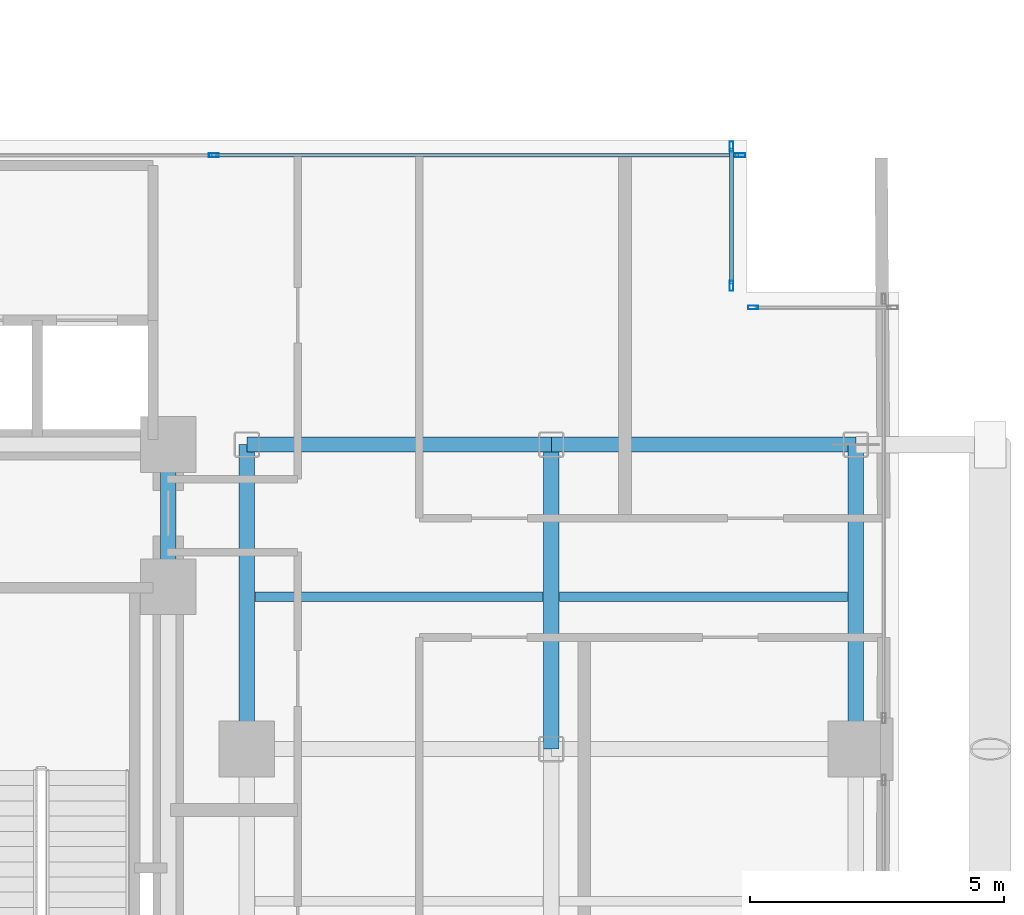
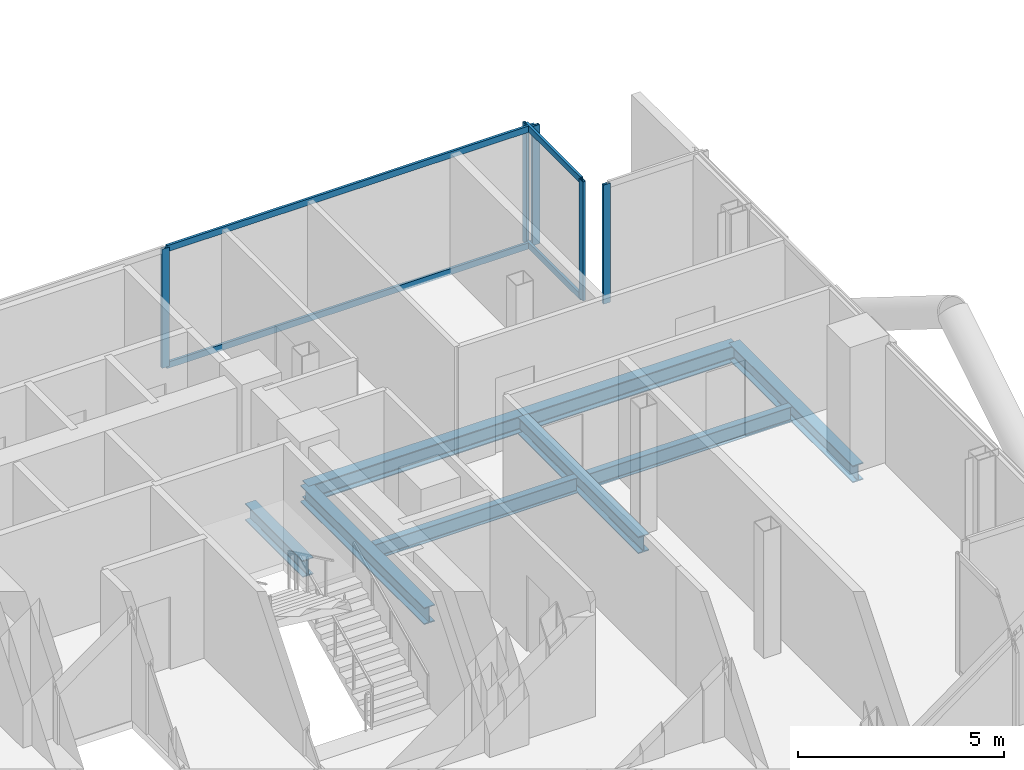
# One storey, part 12 of 24: 9 members, 8 beams, 3 elements without a shape of their own.
"""IFC4 building model written with IfcOpenShell, lengths in metres."""

from ifc_helpers import new_model, si_unit, direction, frame, origin, origin_2d, place, context, subcontext, project, spatial, hollow_rectangle, i_section, extrude, material, layer, layer_set, material_profile, profile_set, type_object, element, aggregate, save


model = new_model("IFC4")

# Units and contexts
model_context = context("Model", 3, precision=1e-05, world=origin(), true_north=direction((0.0, 1.0)))
body_context = subcontext(model_context, "Body", "Model", "MODEL_VIEW")
ifc_project = project(units=[si_unit("LENGTHUNIT", "METRE"), si_unit("AREAUNIT", "SQUARE_METRE"), si_unit("VOLUMEUNIT", "CUBIC_METRE"), si_unit("PLANEANGLEUNIT", "RADIAN"), si_unit("MASSUNIT", "GRAM", prefix="KILO"), si_unit("THERMODYNAMICTEMPERATUREUNIT", "KELVIN"), si_unit("POWERUNIT", "WATT")], contexts=[model_context])

# Site, building, storey
site_placement = place(None, origin())
site = spatial("IfcSite", under=ifc_project, at=site_placement, CompositionType="ELEMENT")
building_placement = place(site_placement, origin())
building = spatial("IfcBuilding", under=site, at=building_placement, Name="Svarakhadi Broadcast Tower", CompositionType="ELEMENT")
storey_placement = place(building_placement, frame((0.0, 0.0, 126.89990234375)))
storey = spatial("IfcBuildingStorey", under=building, at=storey_placement, Name="L30", CompositionType="ELEMENT", Elevation=126.89990234375)

# Beams
ifc_material_1 = material(Name="Steel S355J2 (IS 2062 E350C)", Category="steel")
ifc_material_profile_1 = material_profile(ifc_material_1, i_section(OverallWidth=0.18994140625, OverallDepth=0.449951171875, WebThickness=0.009521484375, FlangeThickness=0.0146484375, FilletRadius=0.02099609375, at=origin_2d()), Name="NPB 450x190x78")
ifc_profile_set_1 = profile_set([ifc_material_profile_1], Name="Steel S355J2 (IS 2062 E350C)")
beam_type_1 = type_object("IfcBeamType", Name="Beam_NPB450", PredefinedType="BEAM", material=ifc_profile_set_1)
for number, where, z_axis, x_axis, name in (
    (1, (35.31005859375, 15.0, -0.449951171875), (1.0, 0.0, 0.0), (0.0, 1.0, 0.0), "L30 Secondary Composite Beam SB021"),
    (2, (41.31005859375, 15.0, -0.449951171875), (1.0, 0.0, 0.0), (0.0, 1.0, 0.0), "L30 Secondary Composite Beam SB023"),
):
    element("IfcBeam", number, at=place(storey_placement, frame(where, z_axis=z_axis, x_axis=x_axis)), inside=storey, type_object=beam_type_1, Name=name, PredefinedType="BEAM", context=body_context, shape_type="SweptSolid", body=[
        extrude(i_section(OverallWidth=0.18994140625, OverallDepth=0.449951171875, WebThickness=0.009521484375, FlangeThickness=0.0146484375, FilletRadius=0.02099609375, at=origin_2d()), origin(), (0.0, 0.0, 1.0), 5.679931640625),
    ])

# Curtain wall, members
ifc_material_2 = material(Name="Anodised Bronze Aluminium AA 6063-T6", Category="aluminium")
ifc_layer = layer(ifc_material_2, 0.199951171875)
ifc_layer_set = layer_set([ifc_layer], Name="Anodised Bronze Aluminium AA 6063-T6")
curtain_wall_type = type_object("IfcCurtainWallType", Name="CW_Sys_03", PredefinedType="NOTDEFINED", material=ifc_layer_set)
curtain_wall_1_placement = place(storey_placement, origin())
curtain_wall_1 = element("IfcCurtainWall", 3, at=curtain_wall_1_placement, inside=storey, type_object=curtain_wall_type, Name="L30 Unitised Facade Curtain Wall 10", PredefinedType="NOTDEFINED")
ifc_material_profile_2 = material_profile(ifc_material_2, hollow_rectangle(XDim=0.074951171875, YDim=0.199951171875, WallThickness=0.005615234375, at=origin_2d()), Name="ALU MULLION 200x75x6")
ifc_profile_set_2 = profile_set([ifc_material_profile_2], Name="Anodised Bronze Aluminium AA 6063-T6")
member_type_1 = type_object("IfcMemberType", Name="CW_Sys_03_Mul", PredefinedType="MULLION", material=ifc_profile_set_2)
member_1_placement = place(storey_placement, frame((34.5, 23.699951171875, 0.0), z_axis=(0.0, 0.0, 1.0), x_axis=(0.0, 1.0, 0.0)))
member_1 = element("IfcMember", 4, at=member_1_placement, type_object=member_type_1, Name="CW-03 mullion 2", PredefinedType="MULLION", context=body_context, shape_type="SweptSolid", body=[
    extrude(hollow_rectangle(XDim=0.074951171875, YDim=0.199951171875, WallThickness=0.005615234375, at=origin_2d()), origin(), (0.0, 0.0, 1.0), 3.525146484375),
])
member_2_placement = place(storey_placement, frame((44.87255859375, 23.699951171875, 0.0), z_axis=(0.0, 0.0, 1.0), x_axis=(0.0, 1.0, 0.0)))
member_2 = element("IfcMember", 5, at=member_2_placement, type_object=member_type_1, Name="CW-03 mullion 3", PredefinedType="MULLION", context=body_context, shape_type="SweptSolid", body=[
    extrude(hollow_rectangle(XDim=0.074951171875, YDim=0.199951171875, WallThickness=0.005615234375, at=origin_2d()), origin(), (0.0, 0.0, 1.0), 3.525146484375),
])

curtain_wall_2_placement = place(storey_placement, origin())
curtain_wall_2 = element("IfcCurtainWall", 6, at=curtain_wall_2_placement, inside=storey, type_object=curtain_wall_type, Name="L30 Unitised Facade Curtain Wall 11", PredefinedType="NOTDEFINED")
member_3_placement = place(storey_placement, frame((44.699951171875, 23.87255859375, 0.0), z_axis=(0.0, 0.0, 1.0), x_axis=(1.0, 0.0, 0.0)))
member_3 = element("IfcMember", 7, at=member_3_placement, type_object=member_type_1, Name="CW-03 mullion 1", PredefinedType="MULLION", context=body_context, shape_type="SweptSolid", body=[
    extrude(hollow_rectangle(XDim=0.074951171875, YDim=0.199951171875, WallThickness=0.005615234375, at=origin_2d()), origin(), (0.0, 0.0, 1.0), 3.525146484375),
])
member_4_placement = place(storey_placement, frame((44.699951171875, 21.12744140625, 0.0), z_axis=(0.0, 0.0, 1.0), x_axis=(1.0, 0.0, 0.0)))
member_4 = element("IfcMember", 8, at=member_4_placement, type_object=member_type_1, Name="CW-03 mullion 2", PredefinedType="MULLION", context=body_context, shape_type="SweptSolid", body=[
    extrude(hollow_rectangle(XDim=0.074951171875, YDim=0.199951171875, WallThickness=0.005615234375, at=origin_2d()), origin(), (0.0, 0.0, 1.0), 3.525146484375),
])

# Curtain wall, member
curtain_wall_3_placement = place(storey_placement, origin())
curtain_wall_3 = element("IfcCurtainWall", 9, at=curtain_wall_3_placement, inside=storey, type_object=curtain_wall_type, Name="L30 Unitised Facade Curtain Wall 12", PredefinedType="NOTDEFINED")
member_5_placement = place(storey_placement, frame((45.12744140625, 20.699951171875, 0.0), z_axis=(0.0, 0.0, 1.0), x_axis=(0.0, 1.0, 0.0)))
member_5 = element("IfcMember", 10, at=member_5_placement, type_object=member_type_1, Name="CW-03 mullion 1", PredefinedType="MULLION", context=body_context, shape_type="SweptSolid", body=[
    extrude(hollow_rectangle(XDim=0.074951171875, YDim=0.199951171875, WallThickness=0.005615234375, at=origin_2d()), origin(), (0.0, 0.0, 1.0), 3.525146484375),
])
aggregate(curtain_wall_3, [member_5])

# Member
ifc_material_profile_3 = material_profile(ifc_material_2, hollow_rectangle(XDim=0.070068359375, YDim=0.18505859375, WallThickness=0.0048828125, at=origin_2d()), Name="ALU TRANSOM 185x70x5")
ifc_profile_set_3 = profile_set([ifc_material_profile_3], Name="Anodised Bronze Aluminium AA 6063-T6")
member_type_2 = type_object("IfcMemberType", Name="CW_Sys_03_Trn", PredefinedType="USERDEFINED", material=ifc_profile_set_3)
member_6_placement = place(storey_placement, frame((34.53759765625, 23.699951171875, 0.03515625), z_axis=(1.0, 0.0, 0.0), x_axis=(0.0, 1.0, 0.0)))
member_6 = element("IfcMember", 11, at=member_6_placement, type_object=member_type_2, Name="CW-03 transom 2.1", ObjectType="TRANSOM", PredefinedType="USERDEFINED", context=body_context, shape_type="SweptSolid", body=[
    extrude(hollow_rectangle(XDim=0.070068359375, YDim=0.18505859375, WallThickness=0.0048828125, at=origin_2d()), origin(), (0.0, 0.0, 1.0), 10.29736328125),
])

member_7_placement = place(storey_placement, frame((34.53759765625, 23.699951171875, 3.489990234375), z_axis=(1.0, 0.0, 0.0), x_axis=(0.0, 1.0, 0.0)))
member_7 = element("IfcMember", 12, at=member_7_placement, type_object=member_type_2, Name="CW-03 transom 2.2", ObjectType="TRANSOM", PredefinedType="USERDEFINED", context=body_context, shape_type="SweptSolid", body=[
    extrude(hollow_rectangle(XDim=0.070068359375, YDim=0.18505859375, WallThickness=0.0048828125, at=origin_2d()), origin(), (0.0, 0.0, 1.0), 10.29736328125),
])

aggregate(curtain_wall_1, [member_1, member_2, member_6, member_7])

member_8_placement = place(storey_placement, frame((44.699951171875, 23.8349609375, 0.03515625), z_axis=(0.0, -1.0, 0.0), x_axis=(1.0, 0.0, 0.0)))
member_8 = element("IfcMember", 13, at=member_8_placement, type_object=member_type_2, Name="CW-03 transom 1.1", ObjectType="TRANSOM", PredefinedType="USERDEFINED", context=body_context, shape_type="SweptSolid", body=[
    extrude(hollow_rectangle(XDim=0.070068359375, YDim=0.18505859375, WallThickness=0.0048828125, at=origin_2d()), origin(), (0.0, 0.0, 1.0), 2.669921875),
])

member_9_placement = place(storey_placement, frame((44.699951171875, 23.8349609375, 3.489990234375), z_axis=(0.0, -1.0, 0.0), x_axis=(1.0, 0.0, 0.0)))
member_9 = element("IfcMember", 14, at=member_9_placement, type_object=member_type_2, Name="CW-03 transom 1.2", ObjectType="TRANSOM", PredefinedType="USERDEFINED", context=body_context, shape_type="SweptSolid", body=[
    extrude(hollow_rectangle(XDim=0.070068359375, YDim=0.18505859375, WallThickness=0.0048828125, at=origin_2d()), origin(), (0.0, 0.0, 1.0), 2.669921875),
])

aggregate(curtain_wall_2, [member_3, member_4, member_8, member_9])

# Beams
ifc_material_profile_4 = material_profile(ifc_material_1, i_section(OverallWidth=0.300048828125, OverallDepth=0.5, WebThickness=0.014404296875, FlangeThickness=0.028076171875, FilletRadius=0.027099609375, at=origin_2d()), Name="WPB 500x300x187")
ifc_profile_set_4 = profile_set([ifc_material_profile_4], Name="Steel S355J2 (IS 2062 E350C)")
beam_type_2 = type_object("IfcBeamType", Name="Girder_WPB500", PredefinedType="USERDEFINED", material=ifc_profile_set_4)
for number, where, z_axis, x_axis, name in (
    (15, (35.14990234375, 18.0, -0.474853515625), (1.0, 0.0, 0.0), (0.0, 1.0, 0.0), "L30 Primary E-W Girder G028"),
    (16, (41.14990234375, 18.0, -0.474853515625), (1.0, 0.0, 0.0), (0.0, 1.0, 0.0), "L30 Primary E-W Girder G029"),
):
    element("IfcBeam", number, at=place(storey_placement, frame(where, z_axis=z_axis, x_axis=x_axis)), inside=storey, type_object=beam_type_2, Name=name, ObjectType="GIRDER", PredefinedType="USERDEFINED", context=body_context, shape_type="SweptSolid", body=[
        extrude(i_section(OverallWidth=0.300048828125, OverallDepth=0.5, WebThickness=0.014404296875, FlangeThickness=0.028076171875, FilletRadius=0.027099609375, at=origin_2d()), origin(), (0.0, 0.0, 1.0), 6.0),
    ])
beam_placement = place(storey_placement, frame((33.60009765625, 15.199951171875, -0.474853515625), z_axis=(0.0, 1.0, 0.0), x_axis=(-1.0, 0.0, 0.0)))
element("IfcBeam", 17, at=beam_placement, inside=storey, type_object=beam_type_2, Name="L30 Primary N-S Girder G066", ObjectType="GIRDER", PredefinedType="USERDEFINED", context=body_context, shape_type="SweptSolid", body=[
    extrude(i_section(OverallWidth=0.300048828125, OverallDepth=0.5, WebThickness=0.014404296875, FlangeThickness=0.028076171875, FilletRadius=0.027099609375, at=origin_2d()), origin(), (0.0, 0.0, 1.0), 2.800048828125),
])
for number, where, z_axis, x_axis, name in (
    (18, (35.14990234375, 12.0, -0.474853515625), (0.0, 1.0, 0.0), (-1.0, 0.0, 0.0), "L30 Primary N-S Girder G069"),
    (19, (41.14990234375, 12.0, -0.474853515625), (0.0, 1.0, 0.0), (-1.0, 0.0, 0.0), "L30 Primary N-S Girder G072"),
    (20, (47.14990234375, 12.0, -0.474853515625), (0.0, 1.0, 0.0), (-1.0, 0.0, 0.0), "L30 Primary N-S Girder G074"),
):
    element("IfcBeam", number, at=place(storey_placement, frame(where, z_axis=z_axis, x_axis=x_axis)), inside=storey, type_object=beam_type_2, Name=name, ObjectType="GIRDER", PredefinedType="USERDEFINED", context=body_context, shape_type="SweptSolid", body=[
        extrude(i_section(OverallWidth=0.300048828125, OverallDepth=0.5, WebThickness=0.014404296875, FlangeThickness=0.028076171875, FilletRadius=0.027099609375, at=origin_2d()), origin(), (0.0, 0.0, 1.0), 6.0),
    ])

save(model, "model.ifc")
